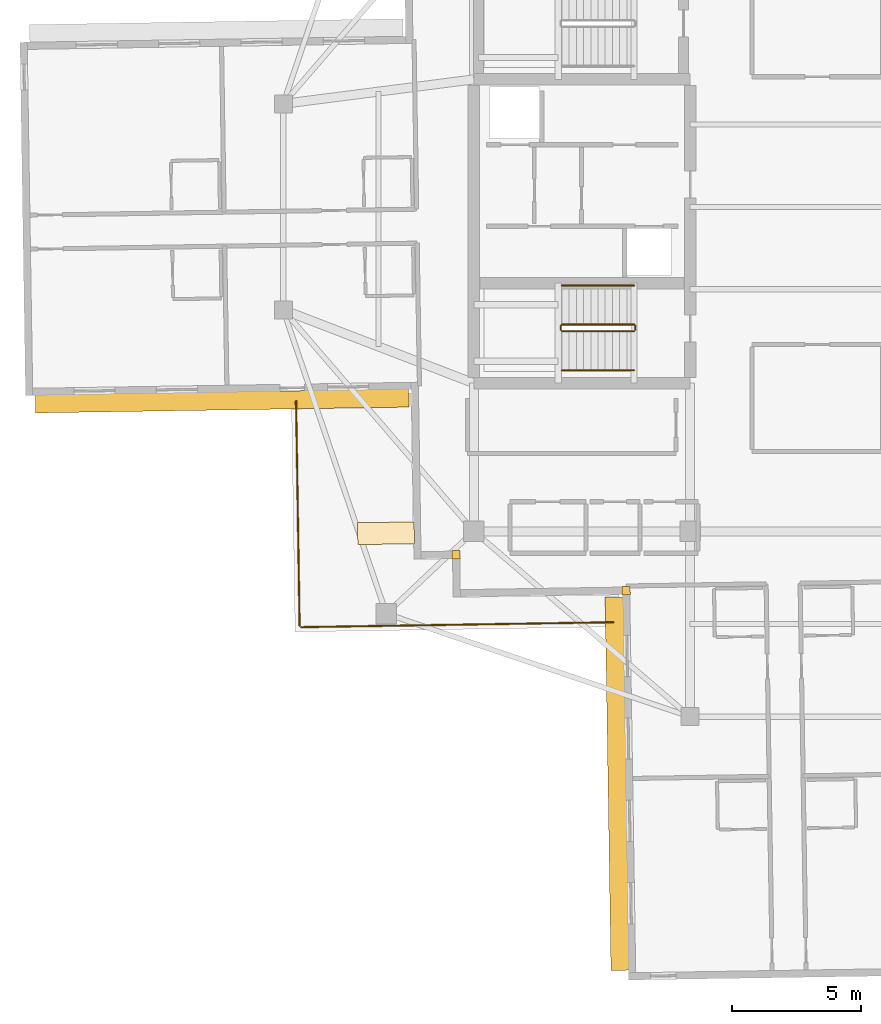
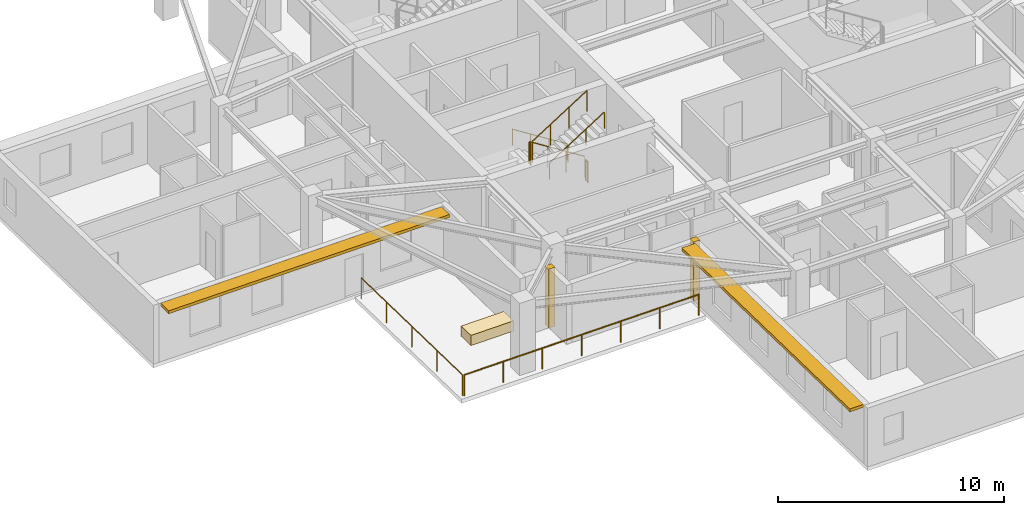
# One storey, part 9 of 12: 8 railings, 3 coverings, 2 shading devices.
"""IFC4 building model written with IfcOpenShell, lengths in metres."""

from ifc_helpers import new_model, si_unit, direction, frame, origin, origin_2d, place, context, subcontext, project, spatial, rectangle, circle, extrude, material, layer, layer_set, type_object, element, save


model = new_model("IFC4")

# Units and contexts
model_context = context("Model", 3, precision=1e-05, world=origin(), true_north=direction((0.0, 1.0)))
body_context = subcontext(model_context, "Body", "Model", "MODEL_VIEW")
ifc_project = project(units=[si_unit("LENGTHUNIT", "METRE"), si_unit("AREAUNIT", "SQUARE_METRE"), si_unit("VOLUMEUNIT", "CUBIC_METRE"), si_unit("PLANEANGLEUNIT", "RADIAN"), si_unit("MASSUNIT", "GRAM", prefix="KILO")], contexts=[model_context])

# Site, building, storey
site_placement = place(None, origin())
site = spatial("IfcSite", under=ifc_project, at=site_placement, CompositionType="ELEMENT")
building_placement = place(site_placement, origin())
building = spatial("IfcBuilding", under=site, at=building_placement, Name="Qingluan Cross Belvedere", CompositionType="ELEMENT")
storey_placement = place(building_placement, frame((0.0, 0.0, 269.39990234375)))
storey = spatial("IfcBuildingStorey", under=building, at=storey_placement, Name="L67", CompositionType="ELEMENT", Elevation=269.39990234375)

# Coverings
ifc_material_1 = material(Name="Precast concrete C45", Category="concrete")
ifc_layer_1 = layer(ifc_material_1, 0.1201171875, Name="ConcreteSpandrelCladding_120")
ifc_layer_set_1 = layer_set([ifc_layer_1], Name="Precast concrete C45")
covering_type_1 = type_object("IfcCoveringType", Name="ConcreteSpandrelCladding_120", PredefinedType="CLADDING", material=ifc_layer_set_1)
for number, where, z_axis, x_axis, name in (
    (1, (-13.089599609375, -13.50732421875, 0.0), (0.0, 0.0, 1.0), (0.999876632482, 0.015707317312, 0.0), "Corner closure L67-SW1"),
    (2, (-6.48681640625, -14.90380859375, 0.0), (0.0, 0.0, 1.0), (0.999876632482, 0.015707317312, 0.0), "Corner closure L67-SW2"),
):
    element("IfcCovering", number, at=place(storey_placement, frame(where, z_axis=z_axis, x_axis=x_axis)), inside=storey, type_object=covering_type_1, Name=name, PredefinedType="CLADDING", context=body_context, shape_type="SweptSolid", body=[
        extrude(rectangle(XDim=0.320068359375, YDim=0.320068359375, at=origin_2d()), origin(), (0.0, 0.0, 1.0), 3.179931640625),
    ])

# Shading devices
ifc_material_2 = material(Name="Precast concrete C45", Category="concrete")
ifc_layer_2 = layer(ifc_material_2, 0.139892578125, Name="ConcreteSunshadeBand_700")
ifc_layer_set_2 = layer_set([ifc_layer_2], Name="Precast concrete C45")
shading_device_type = type_object("IfcShadingDeviceType", Name="ConcreteSunshadeBand_700", PredefinedType="USERDEFINED", material=ifc_layer_set_2)
for number, where, z_axis, x_axis, name in (
    (3, (-22.17431640625, -7.539306640625, 3.0), (0.0, 0.0, 1.0), (0.999876630106, 0.015707468526, 0.0), "Concrete SUNSHADE L67-WB"),
    (4, (-6.839111328125, -22.400146484375, 3.0), (0.0, 0.0, 1.0), (0.015707468526, -0.999876630106, 0.0), "Concrete SUNSHADE L67-SA"),
):
    element("IfcShadingDevice", number, at=place(storey_placement, frame(where, z_axis=z_axis, x_axis=x_axis)), inside=storey, type_object=shading_device_type, Name=name, ObjectType="SUNSHADE", PredefinedType="USERDEFINED", context=body_context, shape_type="SweptSolid", body=[
        extrude(rectangle(XDim=14.5, YDim=0.699951171875, at=origin_2d()), origin(), (0.0, 0.0, 1.0), 0.159912109375),
    ])

# Railings
ifc_material_3 = material(Name="Brushed stainless steel tubular handrail", Category="steel")
railing_type_1 = type_object("IfcRailingType", Name="StairPitchHandrail_900", PredefinedType="HANDRAIL", material=ifc_material_3)
railing_1_placement = place(storey_placement, frame((-6.179931640625, -3.050048828125, 0.177490234375)))
element("IfcRailing", 5, at=railing_1_placement, inside=storey, type_object=railing_type_1, Name="L67 ST1 stair handrail 1", PredefinedType="HANDRAIL", context=body_context, shape_type="SweptSolid", body=[
    extrude(circle(Radius=0.02392578125, at=origin_2d()), frame((0.0, 0.0, 0.8759765625), z_axis=(-0.844908973607, 0.0, 0.534910110503), x_axis=(0.0, -1.0, 0.0)), (0.0, 0.0, 1.0), 3.31396484375),
    extrude(circle(Radius=0.02099609375, at=origin_2d()), origin(), (0.0, 0.0, 1.0), 0.851806640625),
    extrude(circle(Radius=0.02099609375, at=origin_2d()), frame((-0.933349609375, 0.0, 0.5908203125)), (0.0, 0.0, 1.0), 0.851806640625),
    extrude(circle(Radius=0.02099609375, at=origin_2d()), frame((-1.86669921875, 0.0, 1.181884765625)), (0.0, 0.0, 1.0), 0.851806640625),
    extrude(circle(Radius=0.02099609375, at=origin_2d()), frame((-2.800048828125, 0.0, 1.772705078125)), (0.0, 0.0, 1.0), 0.851806640625),
])
railing_2_placement = place(storey_placement, frame((-8.97998046875, -6.35009765625, 2.12744140625)))
element("IfcRailing", 6, at=railing_2_placement, inside=storey, type_object=railing_type_1, Name="L67 ST1 stair handrail 2", PredefinedType="HANDRAIL", context=body_context, shape_type="SweptSolid", body=[
    extrude(circle(Radius=0.02392578125, at=origin_2d()), frame((0.0, 0.0, 0.8759765625), z_axis=(0.844908973607, 0.0, 0.534910110503), x_axis=(0.0, 1.0, 0.0)), (0.0, 0.0, 1.0), 3.31396484375),
    extrude(circle(Radius=0.02099609375, at=origin_2d()), origin(), (0.0, 0.0, 1.0), 0.851806640625),
    extrude(circle(Radius=0.02099609375, at=origin_2d()), frame((0.933349609375, 0.0, 0.5908203125)), (0.0, 0.0, 1.0), 0.851806640625),
    extrude(circle(Radius=0.02099609375, at=origin_2d()), frame((1.86669921875, 0.0, 1.181884765625)), (0.0, 0.0, 1.0), 0.851806640625),
    extrude(circle(Radius=0.02099609375, at=origin_2d()), frame((2.800048828125, 0.0, 1.772705078125)), (0.0, 0.0, 1.0), 0.851806640625),
])
ifc_material_4 = material(Name="Painted steel stair well guard", Category="steel")
railing_type_2 = type_object("IfcRailingType", Name="StairWellGuard_1150", PredefinedType="BALUSTRADE", material=ifc_material_4)
railing_3_placement = place(storey_placement, frame((-6.179931640625, -4.570068359375, 0.177490234375)))
element("IfcRailing", 7, at=railing_3_placement, inside=storey, type_object=railing_type_2, Name="L67 ST1 stair guard 1", PredefinedType="BALUSTRADE", context=body_context, shape_type="SweptSolid", body=[
    extrude(circle(Radius=0.02392578125, at=origin_2d()), frame((0.0, 0.0, 1.1259765625), z_axis=(-0.844908973607, 0.0, 0.534910110503), x_axis=(0.0, -1.0, 0.0)), (0.0, 0.0, 1.0), 3.31396484375),
    extrude(circle(Radius=0.02099609375, at=origin_2d()), origin(), (0.0, 0.0, 1.0), 1.101806640625),
    extrude(circle(Radius=0.02099609375, at=origin_2d()), frame((-0.933349609375, 0.0, 0.5908203125)), (0.0, 0.0, 1.0), 1.101806640625),
    extrude(circle(Radius=0.02099609375, at=origin_2d()), frame((-1.86669921875, 0.0, 1.181884765625)), (0.0, 0.0, 1.0), 1.101806640625),
    extrude(circle(Radius=0.02099609375, at=origin_2d()), frame((-2.800048828125, 0.0, 1.772705078125)), (0.0, 0.0, 1.0), 1.101806640625),
])
railing_4_placement = place(storey_placement, frame((-9.030029296875, -4.6201171875, 1.9501953125)))
element("IfcRailing", 8, at=railing_4_placement, inside=storey, type_object=railing_type_2, Name="L67 ST1 stair guard 2", PredefinedType="BALUSTRADE", context=body_context, shape_type="SweptSolid", body=[
    extrude(circle(Radius=0.02392578125, at=origin_2d()), frame((0.0, 0.0, 1.1259765625), z_axis=(0.0, -1.0, 0.0), x_axis=(1.0, 0.0, 0.0)), (0.0, 0.0, 1.0), 0.159912109375),
    extrude(circle(Radius=0.02099609375, at=origin_2d()), origin(), (0.0, 0.0, 1.0), 1.101806640625),
    extrude(circle(Radius=0.02099609375, at=origin_2d()), frame((0.0, -0.159912109375, 0.0)), (0.0, 0.0, 1.0), 1.101806640625),
])
railing_5_placement = place(storey_placement, frame((-8.97998046875, -4.830078125, 2.12744140625)))
element("IfcRailing", 9, at=railing_5_placement, inside=storey, type_object=railing_type_2, Name="L67 ST1 stair guard 3", PredefinedType="BALUSTRADE", context=body_context, shape_type="SweptSolid", body=[
    extrude(circle(Radius=0.02392578125, at=origin_2d()), frame((0.0, 0.0, 1.1259765625), z_axis=(0.844908973607, 0.0, 0.534910110503), x_axis=(0.0, 1.0, 0.0)), (0.0, 0.0, 1.0), 3.31396484375),
    extrude(circle(Radius=0.02099609375, at=origin_2d()), origin(), (0.0, 0.0, 1.0), 1.101806640625),
    extrude(circle(Radius=0.02099609375, at=origin_2d()), frame((0.933349609375, 0.0, 0.5908203125)), (0.0, 0.0, 1.0), 1.101806640625),
    extrude(circle(Radius=0.02099609375, at=origin_2d()), frame((1.86669921875, 0.0, 1.181884765625)), (0.0, 0.0, 1.0), 1.101806640625),
    extrude(circle(Radius=0.02099609375, at=origin_2d()), frame((2.800048828125, 0.0, 1.772705078125)), (0.0, 0.0, 1.0), 1.101806640625),
])
railing_6_placement = place(storey_placement, frame((-6.1298828125, -4.6201171875, 0.0)))
element("IfcRailing", 10, at=railing_6_placement, inside=storey, type_object=railing_type_2, Name="L67 ST1 stair guard 4", PredefinedType="BALUSTRADE", context=body_context, shape_type="SweptSolid", body=[
    extrude(circle(Radius=0.02392578125, at=origin_2d()), frame((0.0, 0.0, 1.1259765625), z_axis=(0.0, -1.0, 0.0), x_axis=(1.0, 0.0, 0.0)), (0.0, 0.0, 1.0), 0.159912109375),
    extrude(circle(Radius=0.02099609375, at=origin_2d()), origin(), (0.0, 0.0, 1.0), 1.101806640625),
    extrude(circle(Radius=0.02099609375, at=origin_2d()), frame((0.0, -0.159912109375, 0.0)), (0.0, 0.0, 1.0), 1.101806640625),
])
ifc_material_5 = material(Name="Laminated glass and stainless steel balustrade", Category="steel")
railing_type_3 = type_object("IfcRailingType", Name="TerraceGuardBalustrade_1150", PredefinedType="BALUSTRADE", material=ifc_material_5)
railing_7_placement = place(storey_placement, frame((-6.987548828125, -16.1318359375, 0.0)))
element("IfcRailing", 11, at=railing_7_placement, inside=storey, type_object=railing_type_3, Name="Terrace guard L67-1", PredefinedType="BALUSTRADE", context=body_context, shape_type="SweptSolid", body=[
    extrude(circle(Radius=0.02392578125, at=origin_2d()), frame((0.0, 0.0, 1.1259765625), z_axis=(-0.999876556639, -0.015712144452, 0.0), x_axis=(0.015712144452, -0.999876556639, 0.0)), (0.0, 0.0, 1.0), 12.119873046875),
    extrude(circle(Radius=0.02099609375, at=origin_2d()), origin(), (0.0, 0.0, 1.0), 1.101806640625),
    extrude(circle(Radius=0.02099609375, at=origin_2d()), frame((-2.019775390625, -0.03173828125, 0.0)), (0.0, 0.0, 1.0), 1.101806640625),
    extrude(circle(Radius=0.02099609375, at=origin_2d()), frame((-4.03955078125, -0.0634765625, 0.0)), (0.0, 0.0, 1.0), 1.101806640625),
    extrude(circle(Radius=0.02099609375, at=origin_2d()), frame((-6.05908203125, -0.09521484375, 0.0)), (0.0, 0.0, 1.0), 1.101806640625),
    extrude(circle(Radius=0.02099609375, at=origin_2d()), frame((-8.078857421875, -0.126953125, 0.0)), (0.0, 0.0, 1.0), 1.101806640625),
    extrude(circle(Radius=0.02099609375, at=origin_2d()), frame((-10.0986328125, -0.15869140625, 0.0)), (0.0, 0.0, 1.0), 1.101806640625),
    extrude(circle(Radius=0.02099609375, at=origin_2d()), frame((-12.118408203125, -0.1904296875, 0.0)), (0.0, 0.0, 1.0), 1.101806640625),
])
railing_8_placement = place(storey_placement, frame((-19.1669921875, -16.26318359375, 0.0)))
element("IfcRailing", 12, at=railing_8_placement, inside=storey, type_object=railing_type_3, Name="Terrace guard L67-2", PredefinedType="BALUSTRADE", context=body_context, shape_type="SweptSolid", body=[
    extrude(circle(Radius=0.02392578125, at=origin_2d()), frame((0.0, 0.0, 1.1259765625), z_axis=(-0.015706627752, 0.999876643314, 0.0), x_axis=(-0.999876643314, -0.015706627752, 0.0)), (0.0, 0.0, 1.0), 8.719970703125),
    extrude(circle(Radius=0.02099609375, at=origin_2d()), origin(), (0.0, 0.0, 1.0), 1.101806640625),
    extrude(circle(Radius=0.02099609375, at=origin_2d()), frame((-0.0341796875, 2.1796875, 0.0)), (0.0, 0.0, 1.0), 1.101806640625),
    extrude(circle(Radius=0.02099609375, at=origin_2d()), frame((-0.068359375, 4.359375, 0.0)), (0.0, 0.0, 1.0), 1.101806640625),
    extrude(circle(Radius=0.02099609375, at=origin_2d()), frame((-0.102783203125, 6.539306640625, 0.0)), (0.0, 0.0, 1.0), 1.101806640625),
    extrude(circle(Radius=0.02099609375, at=origin_2d()), frame((-0.136962890625, 8.718994140625, 0.0)), (0.0, 0.0, 1.0), 1.101806640625),
])

# Covering
ifc_material_6 = material(Name="Precast concrete C40", Category="concrete")
ifc_layer_3 = layer(ifc_material_6, 0.550048828125, Name="TerracePlanterBox")
ifc_layer_set_3 = layer_set([ifc_layer_3], Name="Precast concrete C40")
covering_type_2 = type_object("IfcCoveringType", Name="TerracePlanterBox", PredefinedType="USERDEFINED", material=ifc_layer_set_3)
covering_placement = place(storey_placement, frame((-15.81201171875, -12.675048828125, 0.0), z_axis=(0.0, 0.0, 1.0), x_axis=(0.999876632482, 0.015707317312, 0.0)))
element("IfcCovering", 13, at=covering_placement, inside=storey, type_object=covering_type_2, Name="Spiralling winter-garden planter L67", ObjectType="PLANTER", PredefinedType="USERDEFINED", context=body_context, shape_type="SweptSolid", body=[
    extrude(rectangle(XDim=2.199951171875, YDim=0.85009765625, at=origin_2d()), origin(), (0.0, 0.0, 1.0), 0.550048828125),
])

save(model, "model.ifc")
